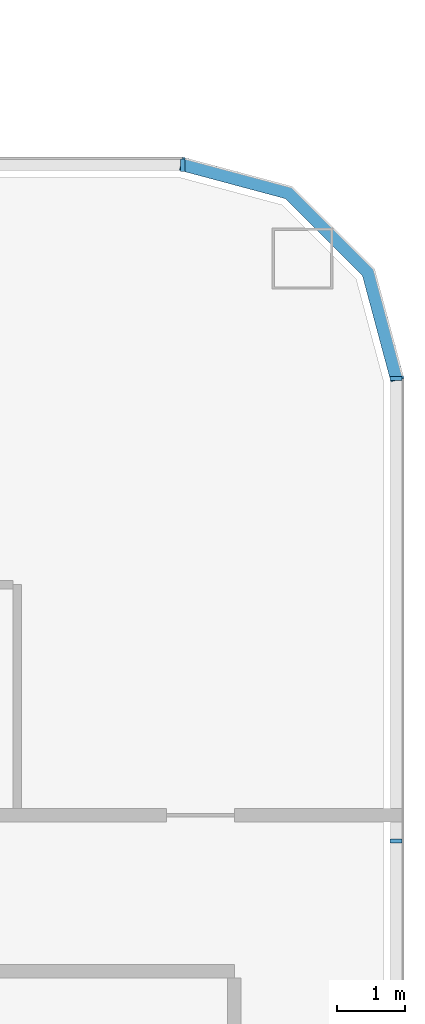
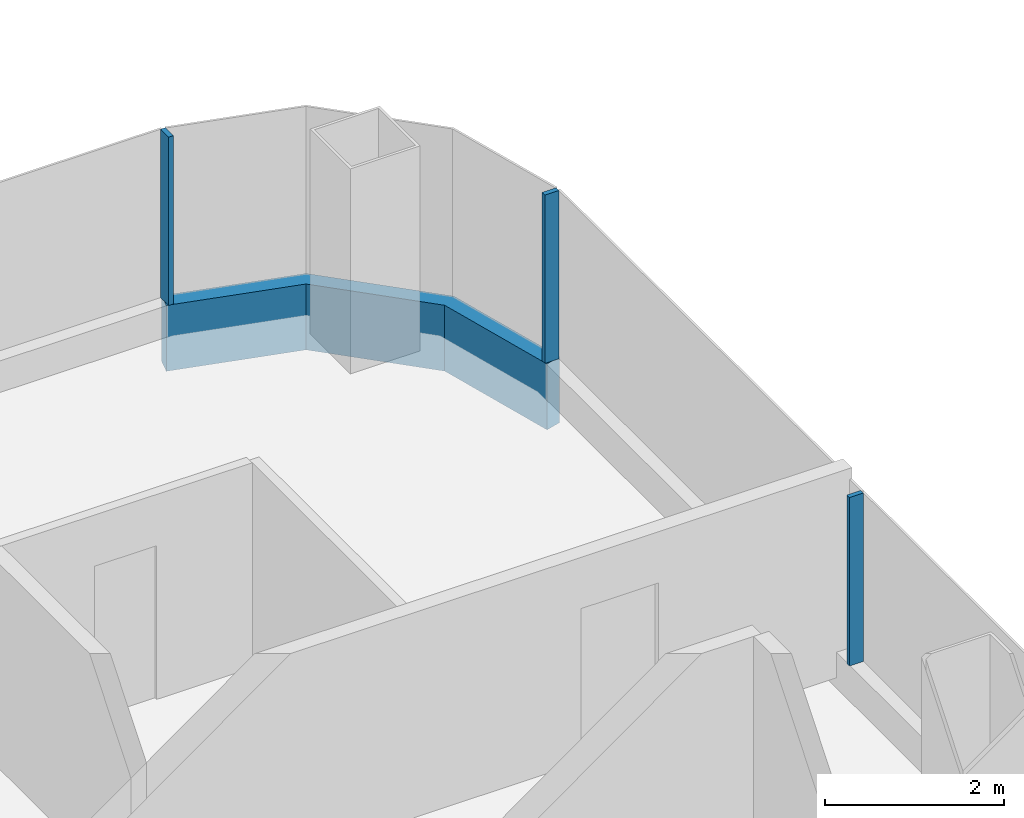
# One storey, part 10 of 35: 4 members, 3 elements without a shape of their own.
"""IFC4 building model written with IfcOpenShell, lengths in metres."""

from ifc_helpers import new_model, si_unit, direction, frame, origin, origin_2d, place, context, subcontext, project, spatial, polyline, rectangle, outline, extrude, material, layer, layer_set, material_profile, profile_set, type_object, element, aggregate, save


model = new_model("IFC4")

# Units and contexts
model_context = context("Model", 3, precision=1e-05, world=origin(), true_north=direction((0.0, 1.0)))
body_context = subcontext(model_context, "Body", "Model", "MODEL_VIEW")
ifc_project = project(units=[si_unit("LENGTHUNIT", "METRE"), si_unit("AREAUNIT", "SQUARE_METRE"), si_unit("VOLUMEUNIT", "CUBIC_METRE"), si_unit("PLANEANGLEUNIT", "RADIAN"), si_unit("MASSUNIT", "GRAM", prefix="KILO")], contexts=[model_context])

# Site, building, storey
site_placement = place(None, origin())
site = spatial("IfcSite", under=ifc_project, at=site_placement, CompositionType="ELEMENT")
building_placement = place(site_placement, origin())
building = spatial("IfcBuilding", under=site, at=building_placement, Name="Hakoniwa Tower and Hamabe Station Hall", CompositionType="ELEMENT")
storey_placement = place(building_placement, frame((0.0, 0.0, 51.800048828125)))
storey = spatial("IfcBuildingStorey", under=building, at=storey_placement, Name="L14", CompositionType="ELEMENT", Elevation=51.800048828125)

# Curtain wall, member
ifc_material_1 = material(Name="Dark low-e laminated glass", Category="glass")
ifc_layer = layer(ifc_material_1, 0.199951171875)
ifc_layer_set = layer_set([ifc_layer], Name="CW-1 UNITISED GUEST")
curtain_wall_type = type_object("IfcCurtainWallType", Name="CW-1 UNITISED GUEST", PredefinedType="NOTDEFINED", material=ifc_layer_set)
curtain_wall_1_placement = place(storey_placement, origin())
curtain_wall_1 = element("IfcCurtainWall", 1, at=curtain_wall_1_placement, inside=storey, type_object=curtain_wall_type, Name="CW-1 curtain wall", PredefinedType="NOTDEFINED")
ifc_material_2 = material(Name="Aluminium 6063-T5 black anodised", Category="aluminium")
ifc_material_profile_1 = material_profile(ifc_material_2, rectangle(XDim=0.199951171875, YDim=0.89990234375, at=origin_2d()), Name="CW SLAB-EDGE BAND 900X200")
ifc_profile_set_1 = profile_set([ifc_material_profile_1], Name="Aluminium 6063-T5 black anodised")
member_type_1 = type_object("IfcMemberType", Name="CW SLAB-EDGE BAND 900X200", PredefinedType="USERDEFINED", material=ifc_profile_set_1)
member_1_placement = place(storey_placement, frame((0.0, 0.0, -0.550048828125)))
member_1 = element("IfcMember", 2, at=member_1_placement, type_object=member_type_1, Name="CW-1 transom", ObjectType="TRANSOM", PredefinedType="USERDEFINED", context=body_context, shape_type="SweptSolid", body=[
    extrude(outline(polyline([(51.10009765625, 17.03955078125), (50.6669921875, 18.6552734375), (49.455322265625, 19.866943359375), (47.839599609375, 20.300048828125), (47.787841796875, 20.10693359375), (49.351806640625, 19.687744140625), (50.48779296875, 18.5517578125), (50.90673828125, 16.98779296875), (51.10009765625, 17.03955078125)])), origin(), (0.0, 0.0, 1.0), 0.89990234375),
])
aggregate(curtain_wall_1, [member_1])

# Curtain wall, members
curtain_wall_2_placement = place(storey_placement, origin())
curtain_wall_2 = element("IfcCurtainWall", 3, at=curtain_wall_2_placement, inside=storey, type_object=curtain_wall_type, Name="CW-1 curtain wall", PredefinedType="NOTDEFINED")
ifc_material_3 = material(Name="Aluminium 6063-T5 black anodised", Category="aluminium")
ifc_material_profile_2 = material_profile(ifc_material_3, rectangle(XDim=0.06005859375, YDim=0.179931640625, at=origin_2d()), Name="CW-1 MULLION 60X180")
ifc_profile_set_2 = profile_set([ifc_material_profile_2], Name="Aluminium 6063-T5 black anodised")
member_type_2 = type_object("IfcMemberType", Name="CW-1 MULLION 60X180", PredefinedType="MULLION", material=ifc_profile_set_2)
member_2_placement = place(storey_placement, frame((50.98193359375, 10.2236328125, 0.349853515625), z_axis=(0.0, 0.0, 1.0), x_axis=(0.0, 1.0, 0.0)))
member_2 = element("IfcMember", 4, at=member_2_placement, type_object=member_type_2, Name="CW-1 mullion", PredefinedType="MULLION", context=body_context, shape_type="SweptSolid", body=[
    extrude(rectangle(XDim=0.06005859375, YDim=0.179931640625, at=origin_2d()), origin(), (0.0, 0.0, 1.0), 2.300048828125),
])
member_3_placement = place(storey_placement, frame((50.98193359375, 17.03955078125, 0.349853515625), z_axis=(0.0, 0.0, 1.0), x_axis=(0.0, 1.0, 0.0)))
member_3 = element("IfcMember", 5, at=member_3_placement, type_object=member_type_2, Name="CW-1 mullion", PredefinedType="MULLION", context=body_context, shape_type="SweptSolid", body=[
    extrude(rectangle(XDim=0.06005859375, YDim=0.179931640625, at=origin_2d()), origin(), (0.0, 0.0, 1.0), 2.300048828125),
])
aggregate(curtain_wall_2, [member_2, member_3])

# Curtain wall, member
curtain_wall_3_placement = place(storey_placement, origin())
curtain_wall_3 = element("IfcCurtainWall", 6, at=curtain_wall_3_placement, inside=storey, type_object=curtain_wall_type, Name="CW-1 curtain wall", PredefinedType="NOTDEFINED")
member_4_placement = place(storey_placement, frame((47.839599609375, 20.181884765625, 0.349853515625), z_axis=(0.0, 0.0, 1.0), x_axis=(-1.0, 0.0, 0.0)))
member_4 = element("IfcMember", 7, at=member_4_placement, type_object=member_type_2, Name="CW-1 mullion", PredefinedType="MULLION", context=body_context, shape_type="SweptSolid", body=[
    extrude(rectangle(XDim=0.06005859375, YDim=0.179931640625, at=origin_2d()), origin(), (0.0, 0.0, 1.0), 2.300048828125),
])
aggregate(curtain_wall_3, [member_4])

save(model, "model.ifc")
